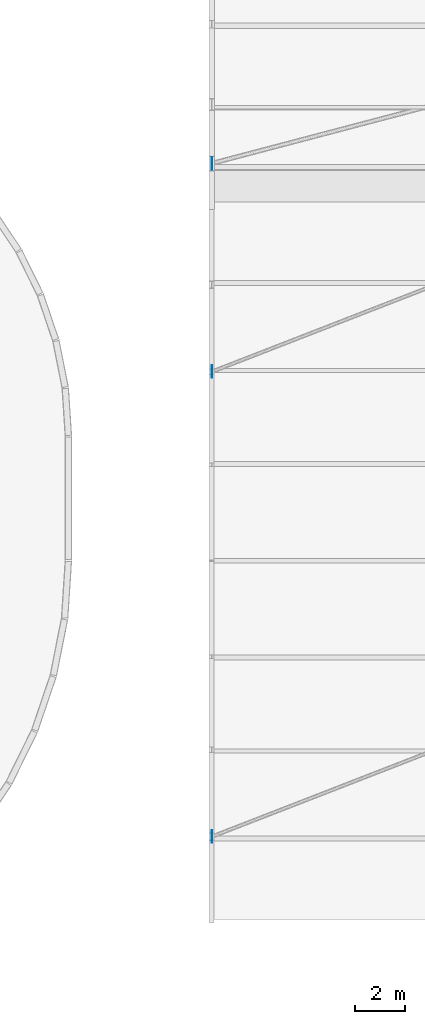
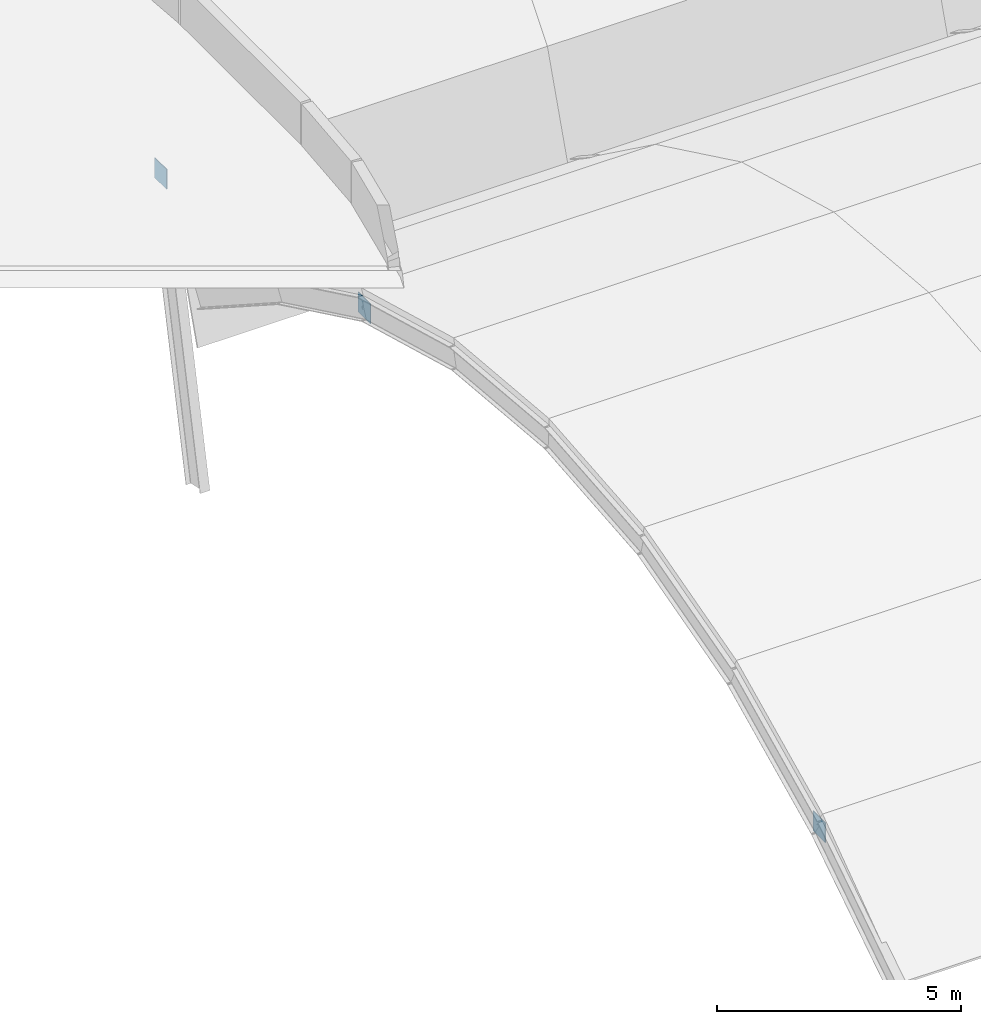
# One storey, part 7 of 15: 3 plates.
"""IFC4 building model written with IfcOpenShell, lengths in metres."""

from ifc_helpers import new_model, si_unit, direction, frame, origin, origin_2d, place, context, subcontext, project, spatial, rectangle, extrude, material, layer, layer_set, type_object, element, save


model = new_model("IFC4")

# Units and contexts
model_context = context("Model", 3, precision=1e-05, world=origin(), true_north=direction((0.0, 1.0)))
body_context = subcontext(model_context, "Body", "Model", "MODEL_VIEW")
ifc_project = project(units=[si_unit("LENGTHUNIT", "METRE"), si_unit("AREAUNIT", "SQUARE_METRE"), si_unit("VOLUMEUNIT", "CUBIC_METRE"), si_unit("PLANEANGLEUNIT", "RADIAN"), si_unit("MASSUNIT", "GRAM", prefix="KILO")], contexts=[model_context])

# Site, building, storey
site_placement = place(None, origin())
site = spatial("IfcSite", under=ifc_project, at=site_placement, CompositionType="ELEMENT")
building_placement = place(site_placement, origin())
building = spatial("IfcBuilding", under=site, at=building_placement, Name="Cendralis Terraced Arcade", CompositionType="ELEMENT")
storey_placement = place(building_placement, frame((0.0, 0.0, 34.199951171875)))
storey = spatial("IfcBuildingStorey", under=building, at=storey_placement, Name="RF", CompositionType="ELEMENT", Elevation=34.199951171875)

# Plates
ifc_material = material(Name="Steel ASTM A572 Grade 50", Category="steel")
ifc_layer = layer(ifc_material, 0.01806640625, Name="PLT-GUS-500x500x18")
ifc_layer_set = layer_set([ifc_layer], Name="Steel ASTM A572 Grade 50")
plate_type = type_object("IfcPlateType", Name="PLT-GUS-500x500x18", PredefinedType="SHEET", material=ifc_layer_set)
for number, where, z_axis, x_axis, name in (
    (1, (67.215087890625, 39.9443359375, -12.627197265625), (0.0, 0.0, 1.0), (1.0, 0.0, 0.0), "Shopping Arcade Wind Brace End Node Plate B01-K2-1"),
    (2, (67.215087890625, 12.927978515625, -12.6015625), (0.0, 0.0, 1.0), (1.0, 0.0, 0.0), "Gourmet Food Hall Wind Brace End Node Plate B01-K2-1"),
    (3, (67.215087890625, 31.584716796875, -10.923828125), (0.0, 0.0, 1.0), (1.0, 0.0, 0.0), "Gourmet Food Hall Wind Brace End Node Plate B01-K7-1"),
):
    element("IfcPlate", number, at=place(storey_placement, frame(where, z_axis=z_axis, x_axis=x_axis)), inside=storey, type_object=plate_type, Name=name, PredefinedType="SHEET", context=body_context, shape_type="SweptSolid", body=[
        extrude(rectangle(XDim=0.01806640625, YDim=0.5, at=origin_2d()), origin(), (0.0, 0.0, 1.0), 0.5),
    ])

save(model, "model.ifc")
